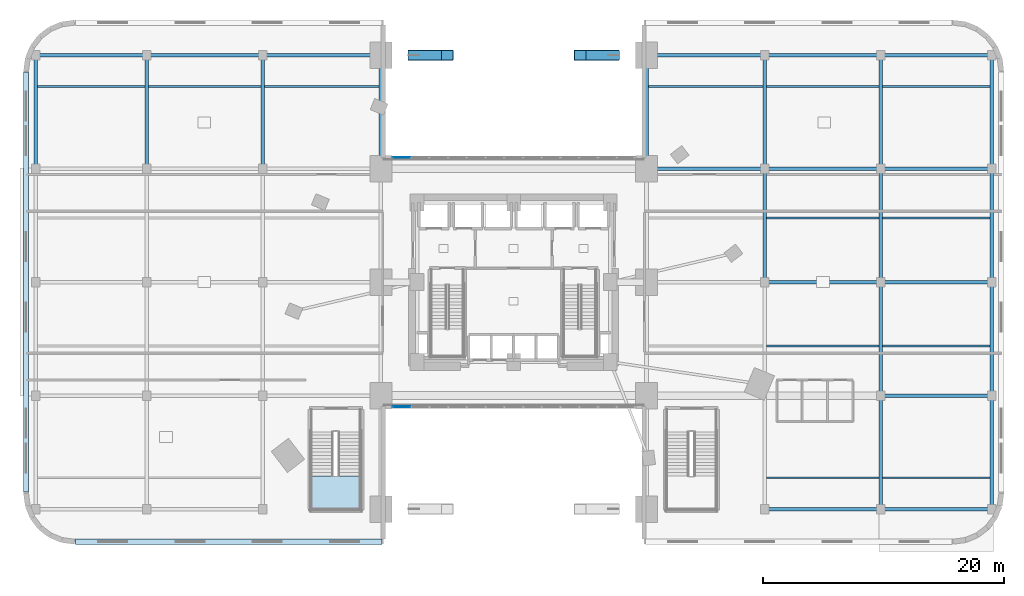
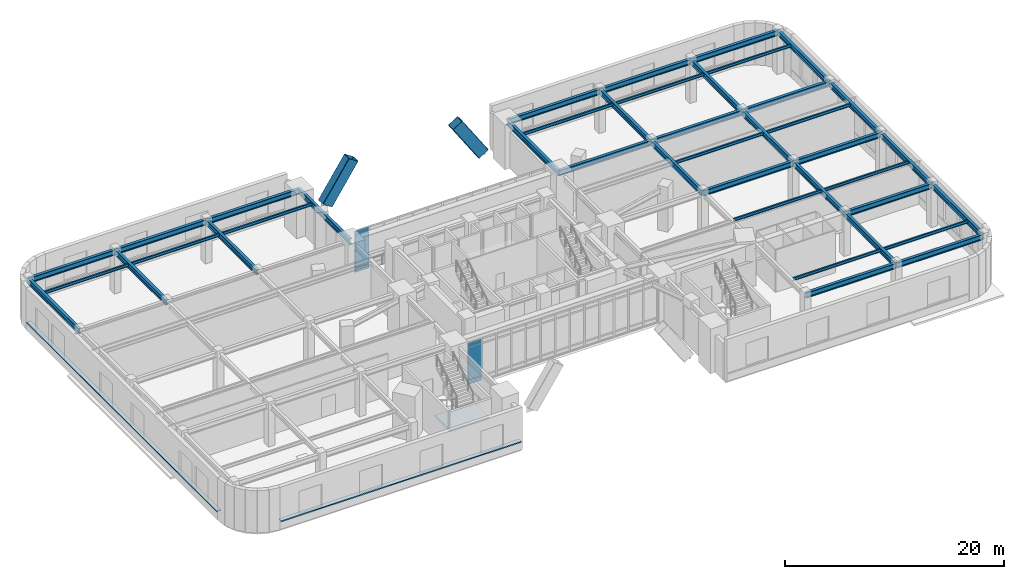
# One storey, part 15 of 26: 41 beams, 8 plates, 2 members, 1 slab, 3 elements without a shape of their own.
"""IFC4 building model written with IfcOpenShell, lengths in metres."""

from ifc_helpers import new_model, si_unit, direction, frame, origin, origin_2d, place, context, subcontext, project, spatial, polyline, rectangle, hollow_rectangle, i_section, outline, extrude, material, layer, layer_set, material_profile, profile_set, type_object, element, aggregate, save


model = new_model("IFC4")

# Units and contexts
model_context = context("Model", 3, precision=1e-05, world=origin(), true_north=direction((0.0, 1.0)))
body_context = subcontext(model_context, "Body", "Model", "MODEL_VIEW")
ifc_project = project(units=[si_unit("LENGTHUNIT", "METRE"), si_unit("AREAUNIT", "SQUARE_METRE"), si_unit("VOLUMEUNIT", "CUBIC_METRE"), si_unit("PLANEANGLEUNIT", "RADIAN"), si_unit("MASSUNIT", "GRAM", prefix="KILO")], contexts=[model_context])

# Site, building, storey
site_placement = place(None, origin())
site = spatial("IfcSite", under=ifc_project, at=site_placement, CompositionType="ELEMENT")
building_placement = place(site_placement, origin())
building = spatial("IfcBuilding", under=site, at=building_placement, Name="Ndelora Gate Hotel", CompositionType="ELEMENT")
storey_placement = place(building_placement, frame((0.0, 0.0, 6.0)))
storey = spatial("IfcBuildingStorey", under=building, at=storey_placement, Name="L01", CompositionType="ELEMENT", Elevation=6.0)

# Beams
ifc_material_1 = material(Name="Steel S355", Category="steel")
ifc_material_profile_1 = material_profile(ifc_material_1, i_section(OverallWidth=0.159912109375, OverallDepth=0.330078125, WebThickness=0.007568359375, FlangeThickness=0.011474609375, FilletRadius=0.01806640625, at=origin_2d()), Name="IPE 330")
ifc_profile_set_1 = profile_set([ifc_material_profile_1], Name="Steel S355")
beam_type_1 = type_object("IfcBeamType", Name="BM-JST-330", PredefinedType="JOIST", material=ifc_profile_set_1)
beam_1_placement = place(storey_placement, frame((20.949951171875, -16.199951171875, 4.554931640625), z_axis=(1.0, 0.0, 0.0), x_axis=(0.0, 1.0, 0.0)))
element("IfcBeam", 1, at=beam_1_placement, inside=storey, type_object=beam_type_1, Name="L01 Podium Composite Secondary Joist 6", PredefinedType="JOIST", context=body_context, shape_type="SweptSolid", body=[
    extrude(i_section(OverallWidth=0.159912109375, OverallDepth=0.330078125, WebThickness=0.007568359375, FlangeThickness=0.011474609375, FilletRadius=0.01806640625, at=origin_2d()), origin(), (0.0, 0.0, 1.0), 9.300048828125),
])
beam_2_placement = place(storey_placement, frame((30.550048828125, -16.199951171875, 4.554931640625), z_axis=(1.0, 0.0, 0.0), x_axis=(0.0, 1.0, 0.0)))
element("IfcBeam", 2, at=beam_2_placement, inside=storey, type_object=beam_type_1, Name="L01 Podium Composite Secondary Joist 7", PredefinedType="JOIST", context=body_context, shape_type="SweptSolid", body=[
    extrude(i_section(OverallWidth=0.159912109375, OverallDepth=0.330078125, WebThickness=0.007568359375, FlangeThickness=0.011474609375, FilletRadius=0.01806640625, at=origin_2d()), origin(), (0.0, 0.0, 1.0), 8.89990234375),
])
beam_3_placement = place(storey_placement, frame((20.949951171875, -5.300048828125, 4.554931640625), z_axis=(1.0, 0.0, 0.0), x_axis=(0.0, 1.0, 0.0)))
element("IfcBeam", 3, at=beam_3_placement, inside=storey, type_object=beam_type_1, Name="L01 Podium Composite Secondary Joist 6", PredefinedType="JOIST", context=body_context, shape_type="SweptSolid", body=[
    extrude(i_section(OverallWidth=0.159912109375, OverallDepth=0.330078125, WebThickness=0.007568359375, FlangeThickness=0.011474609375, FilletRadius=0.01806640625, at=origin_2d()), origin(), (0.0, 0.0, 1.0), 9.300048828125),
])
beam_4_placement = place(storey_placement, frame((30.550048828125, -5.300048828125, 4.554931640625), z_axis=(1.0, 0.0, 0.0), x_axis=(0.0, 1.0, 0.0)))
element("IfcBeam", 4, at=beam_4_placement, inside=storey, type_object=beam_type_1, Name="L01 Podium Composite Secondary Joist 7", PredefinedType="JOIST", context=body_context, shape_type="SweptSolid", body=[
    extrude(i_section(OverallWidth=0.159912109375, OverallDepth=0.330078125, WebThickness=0.007568359375, FlangeThickness=0.011474609375, FilletRadius=0.01806640625, at=origin_2d()), origin(), (0.0, 0.0, 1.0), 8.89990234375),
])
beam_5_placement = place(storey_placement, frame((20.949951171875, 5.300048828125, 4.554931640625), z_axis=(1.0, 0.0, 0.0), x_axis=(0.0, 1.0, 0.0)))
element("IfcBeam", 5, at=beam_5_placement, inside=storey, type_object=beam_type_1, Name="L01 Podium Composite Secondary Joist 6", PredefinedType="JOIST", context=body_context, shape_type="SweptSolid", body=[
    extrude(i_section(OverallWidth=0.159912109375, OverallDepth=0.330078125, WebThickness=0.007568359375, FlangeThickness=0.011474609375, FilletRadius=0.01806640625, at=origin_2d()), origin(), (0.0, 0.0, 1.0), 9.300048828125),
])
for number, where, z_axis, x_axis, name in (
    (6, (30.550048828125, 5.300048828125, 4.554931640625), (1.0, 0.0, 0.0), (0.0, 1.0, 0.0), "L01 Podium Composite Secondary Joist 7"),
    (7, (-39.449951171875, 16.199951171875, 4.554931640625), (1.0, 0.0, 0.0), (0.0, 1.0, 0.0), "L01 Podium Composite Secondary Joist 1"),
):
    element("IfcBeam", number, at=place(storey_placement, frame(where, z_axis=z_axis, x_axis=x_axis)), inside=storey, type_object=beam_type_1, Name=name, PredefinedType="JOIST", context=body_context, shape_type="SweptSolid", body=[
        extrude(i_section(OverallWidth=0.159912109375, OverallDepth=0.330078125, WebThickness=0.007568359375, FlangeThickness=0.011474609375, FilletRadius=0.01806640625, at=origin_2d()), origin(), (0.0, 0.0, 1.0), 8.89990234375),
    ])
beam_6_placement = place(storey_placement, frame((-30.25, 16.199951171875, 4.554931640625), z_axis=(1.0, 0.0, 0.0), x_axis=(0.0, 1.0, 0.0)))
element("IfcBeam", 8, at=beam_6_placement, inside=storey, type_object=beam_type_1, Name="L01 Podium Composite Secondary Joist 2", PredefinedType="JOIST", context=body_context, shape_type="SweptSolid", body=[
    extrude(i_section(OverallWidth=0.159912109375, OverallDepth=0.330078125, WebThickness=0.007568359375, FlangeThickness=0.011474609375, FilletRadius=0.01806640625, at=origin_2d()), origin(), (0.0, 0.0, 1.0), 9.300048828125),
])
for number, where, z_axis, x_axis, name in (
    (9, (-20.64990234375, 16.199951171875, 4.554931640625), (1.0, 0.0, 0.0), (0.0, 1.0, 0.0), "L01 Podium Composite Secondary Joist 3"),
    (10, (11.14990234375, 16.199951171875, 4.554931640625), (1.0, 0.0, 0.0), (0.0, 1.0, 0.0), "L01 Podium Composite Secondary Joist 5"),
):
    element("IfcBeam", number, at=place(storey_placement, frame(where, z_axis=z_axis, x_axis=x_axis)), inside=storey, type_object=beam_type_1, Name=name, PredefinedType="JOIST", context=body_context, shape_type="SweptSolid", body=[
        extrude(i_section(OverallWidth=0.159912109375, OverallDepth=0.330078125, WebThickness=0.007568359375, FlangeThickness=0.011474609375, FilletRadius=0.01806640625, at=origin_2d()), origin(), (0.0, 0.0, 1.0), 9.5),
    ])
beam_7_placement = place(storey_placement, frame((20.949951171875, 16.199951171875, 4.554931640625), z_axis=(1.0, 0.0, 0.0), x_axis=(0.0, 1.0, 0.0)))
element("IfcBeam", 11, at=beam_7_placement, inside=storey, type_object=beam_type_1, Name="L01 Podium Composite Secondary Joist 6", PredefinedType="JOIST", context=body_context, shape_type="SweptSolid", body=[
    extrude(i_section(OverallWidth=0.159912109375, OverallDepth=0.330078125, WebThickness=0.007568359375, FlangeThickness=0.011474609375, FilletRadius=0.01806640625, at=origin_2d()), origin(), (0.0, 0.0, 1.0), 9.300048828125),
])
beam_8_placement = place(storey_placement, frame((30.550048828125, 16.199951171875, 4.554931640625), z_axis=(1.0, 0.0, 0.0), x_axis=(0.0, 1.0, 0.0)))
element("IfcBeam", 12, at=beam_8_placement, inside=storey, type_object=beam_type_1, Name="L01 Podium Composite Secondary Joist 7", PredefinedType="JOIST", context=body_context, shape_type="SweptSolid", body=[
    extrude(i_section(OverallWidth=0.159912109375, OverallDepth=0.330078125, WebThickness=0.007568359375, FlangeThickness=0.011474609375, FilletRadius=0.01806640625, at=origin_2d()), origin(), (0.0, 0.0, 1.0), 8.89990234375),
])
ifc_material_profile_2 = material_profile(ifc_material_1, i_section(OverallWidth=0.300048828125, OverallDepth=0.60009765625, WebThickness=0.015380859375, FlangeThickness=0.030029296875, FilletRadius=0.027099609375, at=origin_2d()), Name="HEB 600")
ifc_profile_set_2 = profile_set([ifc_material_profile_2], Name="Steel S355")
beam_type_2 = type_object("IfcBeamType", Name="BM-POD-600", PredefinedType="BEAM", material=ifc_profile_set_2)
for number, where, z_axis, x_axis, name in (
    (13, (-39.60009765625, 9.39990234375, 4.419921875), (0.0, 1.0, 0.0), (-1.0, 0.0, 0.0), "L01 Podium Longitudinal Girder X=-39.6"),
    (14, (-30.39990234375, 9.39990234375, 4.419921875), (0.0, 1.0, 0.0), (-1.0, 0.0, 0.0), "L01 Podium Longitudinal Girder X=-30.4"),
    (15, (-20.800048828125, 9.39990234375, 4.419921875), (0.0, 1.0, 0.0), (-1.0, 0.0, 0.0), "L01 Podium Longitudinal Girder X=-20.8"),
    (16, (-11.0, 9.39990234375, 4.419921875), (0.0, 1.0, 0.0), (-1.0, 0.0, 0.0), "L01 Podium Longitudinal Girder X=-11.0"),
    (17, (11.0, 9.39990234375, 4.419921875), (0.0, 1.0, 0.0), (-1.0, 0.0, 0.0), "L01 Podium Longitudinal Girder X=+11.0"),
):
    element("IfcBeam", number, at=place(storey_placement, frame(where, z_axis=z_axis, x_axis=x_axis)), inside=storey, type_object=beam_type_2, Name=name, PredefinedType="BEAM", context=body_context, shape_type="SweptSolid", body=[
        extrude(i_section(OverallWidth=0.300048828125, OverallDepth=0.60009765625, WebThickness=0.015380859375, FlangeThickness=0.030029296875, FilletRadius=0.027099609375, at=origin_2d()), origin(), (0.0, 0.0, 1.0), 9.400146484375),
    ])
beam_9_placement = place(storey_placement, frame((20.800048828125, 0.0, 4.419921875), z_axis=(0.0, 1.0, 0.0), x_axis=(-1.0, 0.0, 0.0)))
element("IfcBeam", 18, at=beam_9_placement, inside=storey, type_object=beam_type_2, Name="L01 Podium Longitudinal Girder X=+20.8", PredefinedType="BEAM", context=body_context, shape_type="SweptSolid", body=[
    extrude(i_section(OverallWidth=0.300048828125, OverallDepth=0.60009765625, WebThickness=0.015380859375, FlangeThickness=0.030029296875, FilletRadius=0.027099609375, at=origin_2d()), origin(), (0.0, 0.0, 1.0), 9.39990234375),
])
for number, where, z_axis, x_axis, name in (
    (19, (20.800048828125, 9.39990234375, 4.419921875), (0.0, 1.0, 0.0), (-1.0, 0.0, 0.0), "L01 Podium Longitudinal Girder X=+20.8"),
    (20, (30.39990234375, -18.800048828125, 4.419921875), (0.0, 1.0, 0.0), (-1.0, 0.0, 0.0), "L01 Podium Longitudinal Girder X=+30.4"),
):
    element("IfcBeam", number, at=place(storey_placement, frame(where, z_axis=z_axis, x_axis=x_axis)), inside=storey, type_object=beam_type_2, Name=name, PredefinedType="BEAM", context=body_context, shape_type="SweptSolid", body=[
        extrude(i_section(OverallWidth=0.300048828125, OverallDepth=0.60009765625, WebThickness=0.015380859375, FlangeThickness=0.030029296875, FilletRadius=0.027099609375, at=origin_2d()), origin(), (0.0, 0.0, 1.0), 9.400146484375),
    ])
for number, where, z_axis, x_axis, name in (
    (21, (30.39990234375, -9.39990234375, 4.419921875), (0.0, 1.0, 0.0), (-1.0, 0.0, 0.0), "L01 Podium Longitudinal Girder X=+30.4"),
    (22, (30.39990234375, 0.0, 4.419921875), (0.0, 1.0, 0.0), (-1.0, 0.0, 0.0), "L01 Podium Longitudinal Girder X=+30.4"),
):
    element("IfcBeam", number, at=place(storey_placement, frame(where, z_axis=z_axis, x_axis=x_axis)), inside=storey, type_object=beam_type_2, Name=name, PredefinedType="BEAM", context=body_context, shape_type="SweptSolid", body=[
        extrude(i_section(OverallWidth=0.300048828125, OverallDepth=0.60009765625, WebThickness=0.015380859375, FlangeThickness=0.030029296875, FilletRadius=0.027099609375, at=origin_2d()), origin(), (0.0, 0.0, 1.0), 9.39990234375),
    ])
for number, where, z_axis, x_axis, name in (
    (23, (30.39990234375, 9.39990234375, 4.419921875), (0.0, 1.0, 0.0), (-1.0, 0.0, 0.0), "L01 Podium Longitudinal Girder X=+30.4"),
    (24, (39.60009765625, -18.800048828125, 4.419921875), (0.0, 1.0, 0.0), (-1.0, 0.0, 0.0), "L01 Podium Longitudinal Girder X=+39.6"),
):
    element("IfcBeam", number, at=place(storey_placement, frame(where, z_axis=z_axis, x_axis=x_axis)), inside=storey, type_object=beam_type_2, Name=name, PredefinedType="BEAM", context=body_context, shape_type="SweptSolid", body=[
        extrude(i_section(OverallWidth=0.300048828125, OverallDepth=0.60009765625, WebThickness=0.015380859375, FlangeThickness=0.030029296875, FilletRadius=0.027099609375, at=origin_2d()), origin(), (0.0, 0.0, 1.0), 9.400146484375),
    ])
for number, where, z_axis, x_axis, name in (
    (25, (39.60009765625, -9.39990234375, 4.419921875), (0.0, 1.0, 0.0), (-1.0, 0.0, 0.0), "L01 Podium Longitudinal Girder X=+39.6"),
    (26, (39.60009765625, 0.0, 4.419921875), (0.0, 1.0, 0.0), (-1.0, 0.0, 0.0), "L01 Podium Longitudinal Girder X=+39.6"),
):
    element("IfcBeam", number, at=place(storey_placement, frame(where, z_axis=z_axis, x_axis=x_axis)), inside=storey, type_object=beam_type_2, Name=name, PredefinedType="BEAM", context=body_context, shape_type="SweptSolid", body=[
        extrude(i_section(OverallWidth=0.300048828125, OverallDepth=0.60009765625, WebThickness=0.015380859375, FlangeThickness=0.030029296875, FilletRadius=0.027099609375, at=origin_2d()), origin(), (0.0, 0.0, 1.0), 9.39990234375),
    ])
beam_10_placement = place(storey_placement, frame((39.60009765625, 9.39990234375, 4.419921875), z_axis=(0.0, 1.0, 0.0), x_axis=(-1.0, 0.0, 0.0)))
element("IfcBeam", 27, at=beam_10_placement, inside=storey, type_object=beam_type_2, Name="L01 Podium Longitudinal Girder X=+39.6", PredefinedType="BEAM", context=body_context, shape_type="SweptSolid", body=[
    extrude(i_section(OverallWidth=0.300048828125, OverallDepth=0.60009765625, WebThickness=0.015380859375, FlangeThickness=0.030029296875, FilletRadius=0.027099609375, at=origin_2d()), origin(), (0.0, 0.0, 1.0), 9.400146484375),
])
beam_11_placement = place(storey_placement, frame((20.800048828125, -18.800048828125, 4.419921875), z_axis=(1.0, 0.0, 0.0), x_axis=(0.0, 1.0, 0.0)))
element("IfcBeam", 28, at=beam_11_placement, inside=storey, type_object=beam_type_2, Name="L01 Podium Transverse Girder Y=-18.8", PredefinedType="BEAM", context=body_context, shape_type="SweptSolid", body=[
    extrude(i_section(OverallWidth=0.300048828125, OverallDepth=0.60009765625, WebThickness=0.015380859375, FlangeThickness=0.030029296875, FilletRadius=0.027099609375, at=origin_2d()), origin(), (0.0, 0.0, 1.0), 9.599853515625),
])
for number, where, z_axis, x_axis, name in (
    (29, (30.39990234375, -18.800048828125, 4.419921875), (1.0, 0.0, 0.0), (0.0, 1.0, 0.0), "L01 Podium Transverse Girder Y=-18.8"),
    (30, (30.39990234375, -9.39990234375, 4.419921875), (1.0, 0.0, 0.0), (0.0, 1.0, 0.0), "L01 Podium Transverse Girder Y=-9.4"),
):
    element("IfcBeam", number, at=place(storey_placement, frame(where, z_axis=z_axis, x_axis=x_axis)), inside=storey, type_object=beam_type_2, Name=name, PredefinedType="BEAM", context=body_context, shape_type="SweptSolid", body=[
        extrude(i_section(OverallWidth=0.300048828125, OverallDepth=0.60009765625, WebThickness=0.015380859375, FlangeThickness=0.030029296875, FilletRadius=0.027099609375, at=origin_2d()), origin(), (0.0, 0.0, 1.0), 9.2001953125),
    ])
beam_12_placement = place(storey_placement, frame((20.800048828125, 0.0, 4.419921875), z_axis=(1.0, 0.0, 0.0), x_axis=(0.0, 1.0, 0.0)))
element("IfcBeam", 31, at=beam_12_placement, inside=storey, type_object=beam_type_2, Name="L01 Podium Transverse Girder Y=+0.0", PredefinedType="BEAM", context=body_context, shape_type="SweptSolid", body=[
    extrude(i_section(OverallWidth=0.300048828125, OverallDepth=0.60009765625, WebThickness=0.015380859375, FlangeThickness=0.030029296875, FilletRadius=0.027099609375, at=origin_2d()), origin(), (0.0, 0.0, 1.0), 9.599853515625),
])
beam_13_placement = place(storey_placement, frame((30.39990234375, 0.0, 4.419921875), z_axis=(1.0, 0.0, 0.0), x_axis=(0.0, 1.0, 0.0)))
element("IfcBeam", 32, at=beam_13_placement, inside=storey, type_object=beam_type_2, Name="L01 Podium Transverse Girder Y=+0.0", PredefinedType="BEAM", context=body_context, shape_type="SweptSolid", body=[
    extrude(i_section(OverallWidth=0.300048828125, OverallDepth=0.60009765625, WebThickness=0.015380859375, FlangeThickness=0.030029296875, FilletRadius=0.027099609375, at=origin_2d()), origin(), (0.0, 0.0, 1.0), 9.2001953125),
])
beam_14_placement = place(storey_placement, frame((11.0, 9.39990234375, 4.419921875), z_axis=(1.0, 0.0, 0.0), x_axis=(0.0, 1.0, 0.0)))
element("IfcBeam", 33, at=beam_14_placement, inside=storey, type_object=beam_type_2, Name="L01 Podium Transverse Girder Y=+9.4", PredefinedType="BEAM", context=body_context, shape_type="SweptSolid", body=[
    extrude(i_section(OverallWidth=0.300048828125, OverallDepth=0.60009765625, WebThickness=0.015380859375, FlangeThickness=0.030029296875, FilletRadius=0.027099609375, at=origin_2d()), origin(), (0.0, 0.0, 1.0), 9.800048828125),
])
beam_15_placement = place(storey_placement, frame((20.800048828125, 9.39990234375, 4.419921875), z_axis=(1.0, 0.0, 0.0), x_axis=(0.0, 1.0, 0.0)))
element("IfcBeam", 34, at=beam_15_placement, inside=storey, type_object=beam_type_2, Name="L01 Podium Transverse Girder Y=+9.4", PredefinedType="BEAM", context=body_context, shape_type="SweptSolid", body=[
    extrude(i_section(OverallWidth=0.300048828125, OverallDepth=0.60009765625, WebThickness=0.015380859375, FlangeThickness=0.030029296875, FilletRadius=0.027099609375, at=origin_2d()), origin(), (0.0, 0.0, 1.0), 9.599853515625),
])
for number, where, z_axis, x_axis, name in (
    (35, (30.39990234375, 9.39990234375, 4.419921875), (1.0, 0.0, 0.0), (0.0, 1.0, 0.0), "L01 Podium Transverse Girder Y=+9.4"),
    (36, (-39.60009765625, 18.800048828125, 4.419921875), (1.0, 0.0, 0.0), (0.0, 1.0, 0.0), "L01 Podium Transverse Girder Y=+18.8"),
):
    element("IfcBeam", number, at=place(storey_placement, frame(where, z_axis=z_axis, x_axis=x_axis)), inside=storey, type_object=beam_type_2, Name=name, PredefinedType="BEAM", context=body_context, shape_type="SweptSolid", body=[
        extrude(i_section(OverallWidth=0.300048828125, OverallDepth=0.60009765625, WebThickness=0.015380859375, FlangeThickness=0.030029296875, FilletRadius=0.027099609375, at=origin_2d()), origin(), (0.0, 0.0, 1.0), 9.2001953125),
    ])
beam_16_placement = place(storey_placement, frame((-30.39990234375, 18.800048828125, 4.419921875), z_axis=(1.0, 0.0, 0.0), x_axis=(0.0, 1.0, 0.0)))
element("IfcBeam", 37, at=beam_16_placement, inside=storey, type_object=beam_type_2, Name="L01 Podium Transverse Girder Y=+18.8", PredefinedType="BEAM", context=body_context, shape_type="SweptSolid", body=[
    extrude(i_section(OverallWidth=0.300048828125, OverallDepth=0.60009765625, WebThickness=0.015380859375, FlangeThickness=0.030029296875, FilletRadius=0.027099609375, at=origin_2d()), origin(), (0.0, 0.0, 1.0), 9.599853515625),
])
for number, where, z_axis, x_axis, name in (
    (38, (-20.800048828125, 18.800048828125, 4.419921875), (1.0, 0.0, 0.0), (0.0, 1.0, 0.0), "L01 Podium Transverse Girder Y=+18.8"),
    (39, (11.0, 18.800048828125, 4.419921875), (1.0, 0.0, 0.0), (0.0, 1.0, 0.0), "L01 Podium Transverse Girder Y=+18.8"),
):
    element("IfcBeam", number, at=place(storey_placement, frame(where, z_axis=z_axis, x_axis=x_axis)), inside=storey, type_object=beam_type_2, Name=name, PredefinedType="BEAM", context=body_context, shape_type="SweptSolid", body=[
        extrude(i_section(OverallWidth=0.300048828125, OverallDepth=0.60009765625, WebThickness=0.015380859375, FlangeThickness=0.030029296875, FilletRadius=0.027099609375, at=origin_2d()), origin(), (0.0, 0.0, 1.0), 9.800048828125),
    ])
beam_17_placement = place(storey_placement, frame((20.800048828125, 18.800048828125, 4.419921875), z_axis=(1.0, 0.0, 0.0), x_axis=(0.0, 1.0, 0.0)))
element("IfcBeam", 40, at=beam_17_placement, inside=storey, type_object=beam_type_2, Name="L01 Podium Transverse Girder Y=+18.8", PredefinedType="BEAM", context=body_context, shape_type="SweptSolid", body=[
    extrude(i_section(OverallWidth=0.300048828125, OverallDepth=0.60009765625, WebThickness=0.015380859375, FlangeThickness=0.030029296875, FilletRadius=0.027099609375, at=origin_2d()), origin(), (0.0, 0.0, 1.0), 9.599853515625),
])
beam_18_placement = place(storey_placement, frame((30.39990234375, 18.800048828125, 4.419921875), z_axis=(1.0, 0.0, 0.0), x_axis=(0.0, 1.0, 0.0)))
element("IfcBeam", 41, at=beam_18_placement, inside=storey, type_object=beam_type_2, Name="L01 Podium Transverse Girder Y=+18.8", PredefinedType="BEAM", context=body_context, shape_type="SweptSolid", body=[
    extrude(i_section(OverallWidth=0.300048828125, OverallDepth=0.60009765625, WebThickness=0.015380859375, FlangeThickness=0.030029296875, FilletRadius=0.027099609375, at=origin_2d()), origin(), (0.0, 0.0, 1.0), 9.2001953125),
])

# Members
ifc_material_2 = material(Name="Steel S460", Category="steel")
ifc_material_profile_3 = material_profile(ifc_material_2, hollow_rectangle(XDim=0.89990234375, YDim=1.199951171875, WallThickness=0.035888671875, InnerFilletRadius=0.035888671875, OuterFilletRadius=0.072021484375, at=origin_2d()), Name="BOX 1200x900x36")
ifc_profile_set_3 = profile_set([ifc_material_profile_3], Name="Steel S460")
member_type = type_object("IfcMemberType", Name="MB-ARCH-RIB2", PredefinedType="CHORD", material=ifc_profile_set_3)
for number, where, z_axis, x_axis, name in (
    (42, (-8.25, 18.800048828125, 2.018798828125), (0.551802770318, 0.0, 0.833974641503), (0.0, 1.0, 0.0), "Portal Arch Parabolic Rib N-2"),
    (43, (5.5, 18.800048828125, 6.175048828125), (0.551802770318, 0.0, -0.833974641503), (0.0, 1.0, 0.0), "Portal Arch Parabolic Rib N-7"),
):
    element("IfcMember", number, at=place(storey_placement, frame(where, z_axis=z_axis, x_axis=x_axis)), inside=storey, type_object=member_type, Name=name, PredefinedType="CHORD", context=body_context, shape_type="SweptSolid", body=[
        extrude(hollow_rectangle(XDim=0.89990234375, YDim=1.199951171875, WallThickness=0.035888671875, InnerFilletRadius=0.035888671875, OuterFilletRadius=0.072021484375, at=origin_2d()), origin(), (0.0, 0.0, 1.0), 4.983642578125),
    ])

# Curtain wall, plates
ifc_material_3 = material(Name="Bronze Anodised Unitised Aluminium and Low-E Glass", Category="aluminium")
ifc_layer_1 = layer(ifc_material_3, 0.239990234375)
ifc_layer_set_1 = layer_set([ifc_layer_1], Name="Bronze Anodised Unitised Aluminium and Low-E Glass")
curtain_wall_type = type_object("IfcCurtainWallType", Name="CW-SYS-1", PredefinedType="NOTDEFINED", material=ifc_layer_set_1)
curtain_wall_1_placement = place(storey_placement, origin())
curtain_wall_1 = element("IfcCurtainWall", 44, at=curtain_wall_1_placement, inside=storey, type_object=curtain_wall_type, Name="L01 South Portal Arch Concourse Curtain Wall CW1", PredefinedType="NOTDEFINED")
ifc_material_4 = material(Name="Solar-Control Low-E Insulated Glazing", Category="glass")
ifc_layer_2 = layer(ifc_material_4, 0.048095703125)
ifc_layer_set_2 = layer_set([ifc_layer_2], Name="Solar-Control Low-E Insulated Glazing")
plate_type_1 = type_object("IfcPlateType", Name="PL-CW-GLZ36", PredefinedType="CURTAIN_PANEL", material=ifc_layer_set_2)
plate_1_placement = place(storey_placement, frame((-9.287109375, -10.320068359375, 0.05908203125), z_axis=(0.0, 0.0, 1.0), x_axis=(1.0, 0.0, 0.0)))
plate_1 = element("IfcPlate", 45, at=plate_1_placement, type_object=plate_type_1, Name="CW1 panel 1.1", PredefinedType="CURTAIN_PANEL", context=body_context, shape_type="SweptSolid", body=[
    extrude(rectangle(XDim=1.457763671875, YDim=0.048095703125, at=origin_2d()), origin(), (0.0, 0.0, 1.0), 0.464599609375),
])
plate_2_placement = place(storey_placement, frame((-9.287109375, -10.320068359375, 0.57666015625), z_axis=(0.0, 0.0, 1.0), x_axis=(1.0, 0.0, 0.0)))
plate_2 = element("IfcPlate", 46, at=plate_2_placement, type_object=plate_type_1, Name="CW1 panel 1.2", PredefinedType="CURTAIN_PANEL", context=body_context, shape_type="SweptSolid", body=[
    extrude(rectangle(XDim=1.457763671875, YDim=0.048095703125, at=origin_2d()), origin(), (0.0, 0.0, 1.0), 3.56689453125),
])
plate_3_placement = place(storey_placement, frame((-9.287109375, -10.320068359375, 4.1962890625), z_axis=(0.0, 0.0, 1.0), x_axis=(1.0, 0.0, 0.0)))
plate_3 = element("IfcPlate", 47, at=plate_3_placement, type_object=plate_type_1, Name="CW1 panel 1.3", PredefinedType="CURTAIN_PANEL", context=body_context, shape_type="SweptSolid", body=[
    extrude(rectangle(XDim=1.457763671875, YDim=0.048095703125, at=origin_2d()), origin(), (0.0, 0.0, 1.0), 0.464599609375),
])
aggregate(curtain_wall_1, [plate_1, plate_2, plate_3])

curtain_wall_2_placement = place(storey_placement, origin())
curtain_wall_2 = element("IfcCurtainWall", 48, at=curtain_wall_2_placement, inside=storey, type_object=curtain_wall_type, Name="L01 North Portal Arch Concourse Curtain Wall CW1", PredefinedType="NOTDEFINED")
plate_4_placement = place(storey_placement, frame((-9.287109375, 10.320068359375, 0.05908203125), z_axis=(0.0, 0.0, 1.0), x_axis=(-1.0, 0.0, 0.0)))
plate_4 = element("IfcPlate", 49, at=plate_4_placement, type_object=plate_type_1, Name="CW1 panel 13.1", PredefinedType="CURTAIN_PANEL", context=body_context, shape_type="SweptSolid", body=[
    extrude(rectangle(XDim=1.457763671875, YDim=0.048095703125, at=origin_2d()), origin(), (0.0, 0.0, 1.0), 0.464599609375),
])
plate_5_placement = place(storey_placement, frame((-9.287109375, 10.320068359375, 0.57666015625), z_axis=(0.0, 0.0, 1.0), x_axis=(-1.0, 0.0, 0.0)))
plate_5 = element("IfcPlate", 50, at=plate_5_placement, type_object=plate_type_1, Name="CW1 panel 13.2", PredefinedType="CURTAIN_PANEL", context=body_context, shape_type="SweptSolid", body=[
    extrude(rectangle(XDim=1.457763671875, YDim=0.048095703125, at=origin_2d()), origin(), (0.0, 0.0, 1.0), 3.56689453125),
])
plate_6_placement = place(storey_placement, frame((-9.287109375, 10.320068359375, 4.1962890625), z_axis=(0.0, 0.0, 1.0), x_axis=(-1.0, 0.0, 0.0)))
plate_6 = element("IfcPlate", 51, at=plate_6_placement, type_object=plate_type_1, Name="CW1 panel 13.3", PredefinedType="CURTAIN_PANEL", context=body_context, shape_type="SweptSolid", body=[
    extrude(rectangle(XDim=1.457763671875, YDim=0.048095703125, at=origin_2d()), origin(), (0.0, 0.0, 1.0), 0.464599609375),
])
aggregate(curtain_wall_2, [plate_4, plate_5, plate_6])

# Plates
ifc_material_5 = material(Name="Precast concrete C40/50", Category="concrete")
ifc_layer_3 = layer(ifc_material_5, 0.125)
ifc_layer_set_3 = layer_set([ifc_layer_3], Name="Precast concrete C40/50")
plate_type_2 = type_object("IfcPlateType", Name="PL-SILL-120", PredefinedType="USERDEFINED", material=ifc_layer_set_3)
plate_7_placement = place(storey_placement, frame((-40.39990234375, 0.0, 0.8173828125), z_axis=(0.0, 0.0, 1.0), x_axis=(0.0, 1.0, 0.0)))
element("IfcPlate", 52, at=plate_7_placement, inside=storey, type_object=plate_type_2, Name="L01 Precast Concrete Ribbon Sill Band 22", ObjectType="RIBBON_SILL", PredefinedType="USERDEFINED", context=body_context, shape_type="SweptSolid", body=[
    extrude(rectangle(XDim=34.800048828125, YDim=0.43994140625, at=origin_2d()), origin(), (0.0, 0.0, 1.0), 0.125),
])
plate_8_placement = place(storey_placement, frame((-23.60009765625, -21.5, 0.8173828125), z_axis=(0.0, 0.0, 1.0), x_axis=(1.0, 0.0, 0.0)))
element("IfcPlate", 53, at=plate_8_placement, inside=storey, type_object=plate_type_2, Name="L01 Precast Concrete Ribbon Sill Band 29", ObjectType="RIBBON_SILL", PredefinedType="USERDEFINED", context=body_context, shape_type="SweptSolid", body=[
    extrude(rectangle(XDim=25.39990234375, YDim=0.43994140625, at=origin_2d()), origin(), (0.0, 0.0, 1.0), 0.125),
])

# Stair, slab
stair_type = type_object("IfcStairType", Name="STR-DOG-POD", PredefinedType="HALF_TURN_STAIR", material=ifc_material_5)
stair_placement = place(storey_placement, origin())
stair = element("IfcStair", 54, at=stair_placement, inside=storey, type_object=stair_type, Name="L01 Podium Ballroom Exit Stair ST3A", PredefinedType="HALF_TURN_STAIR")
ifc_layer_4 = layer(ifc_material_5, 0.219970703125)
ifc_layer_set_4 = layer_set([ifc_layer_4], Name="Precast concrete C40/50")
slab_type = type_object("IfcSlabType", Name="SL-LAND-220", PredefinedType="LANDING", material=ifc_layer_set_4)
slab_placement = place(storey_placement, frame((0.0, 0.0, 2.300048828125)))
slab = element("IfcSlab", 55, at=slab_placement, type_object=slab_type, Name="ST3A landing 1", PredefinedType="LANDING", context=body_context, shape_type="SweptSolid", body=[
    extrude(outline(polyline([(-16.800048828125, -16.0400390625), (-16.800048828125, -18.85009765625), (-12.659912109375, -18.85009765625), (-12.659912109375, -16.0400390625), (-16.800048828125, -16.0400390625)])), origin(), (0.0, 0.0, 1.0), 0.199951171875),
])
aggregate(stair, [slab])

save(model, "model.ifc")
